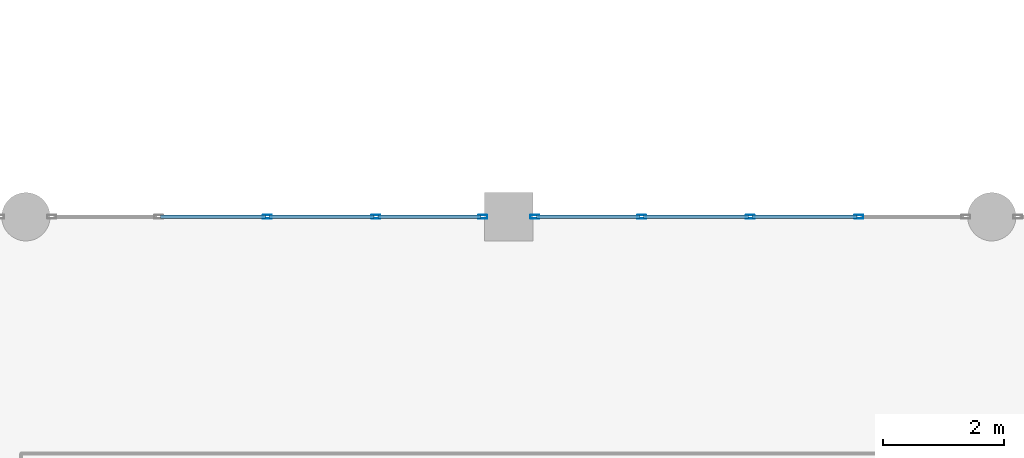
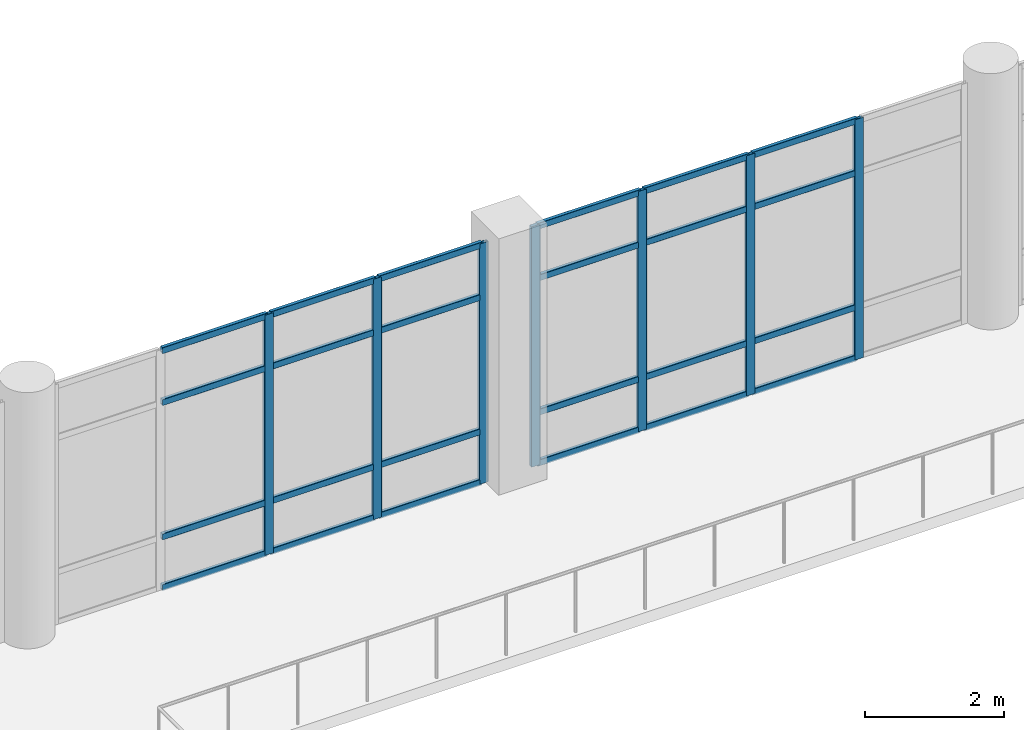
# One storey, part 24 of 42: 31 members, 2 elements without a shape of their own.
"""IFC4 building model written with IfcOpenShell, lengths in metres."""

from ifc_helpers import new_model, si_unit, direction, frame, origin, origin_2d, place, context, subcontext, project, spatial, hollow_rectangle, extrude, material, material_profile, profile_set, type_object, element, aggregate, save


model = new_model("IFC4")

# Units and contexts
model_context = context("Model", 3, precision=1e-05, world=origin(), true_north=direction((0.0, 1.0)))
body_context = subcontext(model_context, "Body", "Model", "MODEL_VIEW")
ifc_project = project(units=[si_unit("LENGTHUNIT", "METRE"), si_unit("AREAUNIT", "SQUARE_METRE"), si_unit("VOLUMEUNIT", "CUBIC_METRE"), si_unit("PLANEANGLEUNIT", "RADIAN"), si_unit("MASSUNIT", "GRAM", prefix="KILO")], contexts=[model_context])

# Site, building, storey
site_placement = place(None, origin())
site = spatial("IfcSite", under=ifc_project, at=site_placement, CompositionType="ELEMENT")
building_placement = place(site_placement, origin())
building = spatial("IfcBuilding", under=site, at=building_placement, Name="Solmirada Galleria", CompositionType="ELEMENT")
storey_placement = place(building_placement, frame((0.0, 0.0, 28.39990234375)))
storey = spatial("IfcBuildingStorey", under=building, at=storey_placement, Name="L06", CompositionType="ELEMENT", Elevation=28.39990234375)

# Curtain wall, members
ifc_material_1 = material(Name="Impact-resistant low-E double glazing", Category="glass")
curtain_wall_type = type_object("IfcCurtainWallType", Name="CW-FZ3-L06-B4-L072", PredefinedType="NOTDEFINED", material=ifc_material_1)
curtain_wall_1_placement = place(storey_placement, origin())
curtain_wall_1 = element("IfcCurtainWall", 1, at=curtain_wall_1_placement, inside=storey, type_object=curtain_wall_type, Name="Terrace and arcade storefront CW-L06-190", PredefinedType="NOTDEFINED")
ifc_material_2 = material(Name="Anodised aluminium framing", Category="aluminium")
ifc_material_profile_1 = material_profile(ifc_material_2, hollow_rectangle(XDim=0.06005859375, YDim=0.14990234375, WallThickness=0.00341796875, InnerFilletRadius=0.00341796875, OuterFilletRadius=0.007080078125, at=origin_2d()), Name="ALU-MULL-150X60")
ifc_profile_set_1 = profile_set([ifc_material_profile_1], Name="Anodised aluminium framing")
member_type_1 = type_object("IfcMemberType", Name="CW-MULL-150", PredefinedType="MULLION", material=ifc_profile_set_1)
member_1_placement = place(storey_placement, frame((92.0, 72.0, 0.0), z_axis=(0.0, 0.0, 1.0), x_axis=(0.0, 1.0, 0.0)))
member_1 = element("IfcMember", 2, at=member_1_placement, type_object=member_type_1, Name="CW38 mullion 3", PredefinedType="MULLION", context=body_context, shape_type="SweptSolid", body=[
    extrude(hollow_rectangle(XDim=0.06005859375, YDim=0.14990234375, WallThickness=0.00341796875, InnerFilletRadius=0.00341796875, OuterFilletRadius=0.007080078125, at=origin_2d()), origin(), (0.0, 0.0, 1.0), 4.22021484375),
])
member_2_placement = place(storey_placement, frame((93.799072265625, 72.0, 0.0), z_axis=(0.0, 0.0, 1.0), x_axis=(0.0, 1.0, 0.0)))
member_2 = element("IfcMember", 3, at=member_2_placement, type_object=member_type_1, Name="CW38 mullion 4", PredefinedType="MULLION", context=body_context, shape_type="SweptSolid", body=[
    extrude(hollow_rectangle(XDim=0.06005859375, YDim=0.14990234375, WallThickness=0.00341796875, InnerFilletRadius=0.00341796875, OuterFilletRadius=0.007080078125, at=origin_2d()), origin(), (0.0, 0.0, 1.0), 4.22021484375),
])
member_3_placement = place(storey_placement, frame((95.568115234375, 72.0, 0.0), z_axis=(0.0, 0.0, 1.0), x_axis=(0.0, 1.0, 0.0)))
member_3 = element("IfcMember", 4, at=member_3_placement, type_object=member_type_1, Name="CW38 mullion 5", PredefinedType="MULLION", context=body_context, shape_type="SweptSolid", body=[
    extrude(hollow_rectangle(XDim=0.06005859375, YDim=0.14990234375, WallThickness=0.00341796875, InnerFilletRadius=0.00341796875, OuterFilletRadius=0.007080078125, at=origin_2d()), origin(), (0.0, 0.0, 1.0), 4.22021484375),
])

curtain_wall_2_placement = place(storey_placement, origin())
curtain_wall_2 = element("IfcCurtainWall", 5, at=curtain_wall_2_placement, inside=storey, type_object=curtain_wall_type, Name="Terrace and arcade storefront CW-L06-191", PredefinedType="NOTDEFINED")
member_4_placement = place(storey_placement, frame((96.431884765625, 72.0, 0.0), z_axis=(0.0, 0.0, 1.0), x_axis=(0.0, 1.0, 0.0)))
member_4 = element("IfcMember", 6, at=member_4_placement, type_object=member_type_1, Name="CW38 mullion 1", PredefinedType="MULLION", context=body_context, shape_type="SweptSolid", body=[
    extrude(hollow_rectangle(XDim=0.06005859375, YDim=0.14990234375, WallThickness=0.00341796875, InnerFilletRadius=0.00341796875, OuterFilletRadius=0.007080078125, at=origin_2d()), origin(), (0.0, 0.0, 1.0), 4.22021484375),
])
member_5_placement = place(storey_placement, frame((98.200927734375, 72.0, 0.0), z_axis=(0.0, 0.0, 1.0), x_axis=(0.0, 1.0, 0.0)))
member_5 = element("IfcMember", 7, at=member_5_placement, type_object=member_type_1, Name="CW38 mullion 2", PredefinedType="MULLION", context=body_context, shape_type="SweptSolid", body=[
    extrude(hollow_rectangle(XDim=0.06005859375, YDim=0.14990234375, WallThickness=0.00341796875, InnerFilletRadius=0.00341796875, OuterFilletRadius=0.007080078125, at=origin_2d()), origin(), (0.0, 0.0, 1.0), 4.22021484375),
])
member_6_placement = place(storey_placement, frame((100.0, 72.0, 0.0), z_axis=(0.0, 0.0, 1.0), x_axis=(0.0, 1.0, 0.0)))
member_6 = element("IfcMember", 8, at=member_6_placement, type_object=member_type_1, Name="CW38 mullion 3", PredefinedType="MULLION", context=body_context, shape_type="SweptSolid", body=[
    extrude(hollow_rectangle(XDim=0.06005859375, YDim=0.14990234375, WallThickness=0.00341796875, InnerFilletRadius=0.00341796875, OuterFilletRadius=0.007080078125, at=origin_2d()), origin(), (0.0, 0.0, 1.0), 4.22021484375),
])
member_7_placement = place(storey_placement, frame((101.799072265625, 72.0, 0.0), z_axis=(0.0, 0.0, 1.0), x_axis=(0.0, 1.0, 0.0)))
member_7 = element("IfcMember", 9, at=member_7_placement, type_object=member_type_1, Name="CW38 mullion 4", PredefinedType="MULLION", context=body_context, shape_type="SweptSolid", body=[
    extrude(hollow_rectangle(XDim=0.06005859375, YDim=0.14990234375, WallThickness=0.00341796875, InnerFilletRadius=0.00341796875, OuterFilletRadius=0.007080078125, at=origin_2d()), origin(), (0.0, 0.0, 1.0), 4.22021484375),
])

# Member
ifc_material_profile_2 = material_profile(ifc_material_2, hollow_rectangle(XDim=0.06005859375, YDim=0.110107421875, WallThickness=0.003173828125, InnerFilletRadius=0.003173828125, OuterFilletRadius=0.00634765625, at=origin_2d()), Name="ALU-TRAN-110X60")
ifc_profile_set_2 = profile_set([ifc_material_profile_2], Name="Anodised aluminium framing")
member_type_2 = type_object("IfcMemberType", Name="CW-TRAN-110", PredefinedType="USERDEFINED", material=ifc_profile_set_2)
member_8_placement = place(storey_placement, frame((90.23095703125, 72.0, 0.030029296875), z_axis=(1.0, 0.0, 0.0), x_axis=(0.0, 1.0, 0.0)))
member_8 = element("IfcMember", 10, at=member_8_placement, type_object=member_type_2, Name="CW38 transom 2.1", ObjectType="TRANSOM", PredefinedType="USERDEFINED", context=body_context, shape_type="SweptSolid", body=[
    extrude(hollow_rectangle(XDim=0.06005859375, YDim=0.110107421875, WallThickness=0.003173828125, InnerFilletRadius=0.003173828125, OuterFilletRadius=0.00634765625, at=origin_2d()), origin(), (0.0, 0.0, 1.0), 1.739013671875),
])

member_9_placement = place(storey_placement, frame((90.23095703125, 72.0, 0.920166015625), z_axis=(1.0, 0.0, 0.0), x_axis=(0.0, 1.0, 0.0)))
member_9 = element("IfcMember", 11, at=member_9_placement, type_object=member_type_2, Name="CW38 transom 2.2", ObjectType="TRANSOM", PredefinedType="USERDEFINED", context=body_context, shape_type="SweptSolid", body=[
    extrude(hollow_rectangle(XDim=0.06005859375, YDim=0.110107421875, WallThickness=0.003173828125, InnerFilletRadius=0.003173828125, OuterFilletRadius=0.00634765625, at=origin_2d()), origin(), (0.0, 0.0, 1.0), 1.739013671875),
])

member_10_placement = place(storey_placement, frame((90.23095703125, 72.0, 3.280029296875), z_axis=(1.0, 0.0, 0.0), x_axis=(0.0, 1.0, 0.0)))
member_10 = element("IfcMember", 12, at=member_10_placement, type_object=member_type_2, Name="CW38 transom 2.3", ObjectType="TRANSOM", PredefinedType="USERDEFINED", context=body_context, shape_type="SweptSolid", body=[
    extrude(hollow_rectangle(XDim=0.06005859375, YDim=0.110107421875, WallThickness=0.003173828125, InnerFilletRadius=0.003173828125, OuterFilletRadius=0.00634765625, at=origin_2d()), origin(), (0.0, 0.0, 1.0), 1.739013671875),
])

member_11_placement = place(storey_placement, frame((90.23095703125, 72.0, 4.190185546875), z_axis=(1.0, 0.0, 0.0), x_axis=(0.0, 1.0, 0.0)))
member_11 = element("IfcMember", 13, at=member_11_placement, type_object=member_type_2, Name="CW38 transom 2.4", ObjectType="TRANSOM", PredefinedType="USERDEFINED", context=body_context, shape_type="SweptSolid", body=[
    extrude(hollow_rectangle(XDim=0.06005859375, YDim=0.110107421875, WallThickness=0.003173828125, InnerFilletRadius=0.003173828125, OuterFilletRadius=0.00634765625, at=origin_2d()), origin(), (0.0, 0.0, 1.0), 1.739013671875),
])

member_12_placement = place(storey_placement, frame((92.030029296875, 72.0, 0.030029296875), z_axis=(1.0, 0.0, 0.0), x_axis=(0.0, 1.0, 0.0)))
member_12 = element("IfcMember", 14, at=member_12_placement, type_object=member_type_2, Name="CW38 transom 3.1", ObjectType="TRANSOM", PredefinedType="USERDEFINED", context=body_context, shape_type="SweptSolid", body=[
    extrude(hollow_rectangle(XDim=0.06005859375, YDim=0.110107421875, WallThickness=0.003173828125, InnerFilletRadius=0.003173828125, OuterFilletRadius=0.00634765625, at=origin_2d()), origin(), (0.0, 0.0, 1.0), 1.739013671875),
])

member_13_placement = place(storey_placement, frame((92.030029296875, 72.0, 0.920166015625), z_axis=(1.0, 0.0, 0.0), x_axis=(0.0, 1.0, 0.0)))
member_13 = element("IfcMember", 15, at=member_13_placement, type_object=member_type_2, Name="CW38 transom 3.2", ObjectType="TRANSOM", PredefinedType="USERDEFINED", context=body_context, shape_type="SweptSolid", body=[
    extrude(hollow_rectangle(XDim=0.06005859375, YDim=0.110107421875, WallThickness=0.003173828125, InnerFilletRadius=0.003173828125, OuterFilletRadius=0.00634765625, at=origin_2d()), origin(), (0.0, 0.0, 1.0), 1.739013671875),
])

member_14_placement = place(storey_placement, frame((92.030029296875, 72.0, 3.280029296875), z_axis=(1.0, 0.0, 0.0), x_axis=(0.0, 1.0, 0.0)))
member_14 = element("IfcMember", 16, at=member_14_placement, type_object=member_type_2, Name="CW38 transom 3.3", ObjectType="TRANSOM", PredefinedType="USERDEFINED", context=body_context, shape_type="SweptSolid", body=[
    extrude(hollow_rectangle(XDim=0.06005859375, YDim=0.110107421875, WallThickness=0.003173828125, InnerFilletRadius=0.003173828125, OuterFilletRadius=0.00634765625, at=origin_2d()), origin(), (0.0, 0.0, 1.0), 1.739013671875),
])

member_15_placement = place(storey_placement, frame((92.030029296875, 72.0, 4.190185546875), z_axis=(1.0, 0.0, 0.0), x_axis=(0.0, 1.0, 0.0)))
member_15 = element("IfcMember", 17, at=member_15_placement, type_object=member_type_2, Name="CW38 transom 3.4", ObjectType="TRANSOM", PredefinedType="USERDEFINED", context=body_context, shape_type="SweptSolid", body=[
    extrude(hollow_rectangle(XDim=0.06005859375, YDim=0.110107421875, WallThickness=0.003173828125, InnerFilletRadius=0.003173828125, OuterFilletRadius=0.00634765625, at=origin_2d()), origin(), (0.0, 0.0, 1.0), 1.739013671875),
])

member_16_placement = place(storey_placement, frame((93.8291015625, 72.0, 0.030029296875), z_axis=(1.0, 0.0, 0.0), x_axis=(0.0, 1.0, 0.0)))
member_16 = element("IfcMember", 18, at=member_16_placement, type_object=member_type_2, Name="CW38 transom 4.1", ObjectType="TRANSOM", PredefinedType="USERDEFINED", context=body_context, shape_type="SweptSolid", body=[
    extrude(hollow_rectangle(XDim=0.06005859375, YDim=0.110107421875, WallThickness=0.003173828125, InnerFilletRadius=0.003173828125, OuterFilletRadius=0.00634765625, at=origin_2d()), origin(), (0.0, 0.0, 1.0), 1.708984375),
])

member_17_placement = place(storey_placement, frame((93.8291015625, 72.0, 0.920166015625), z_axis=(1.0, 0.0, 0.0), x_axis=(0.0, 1.0, 0.0)))
member_17 = element("IfcMember", 19, at=member_17_placement, type_object=member_type_2, Name="CW38 transom 4.2", ObjectType="TRANSOM", PredefinedType="USERDEFINED", context=body_context, shape_type="SweptSolid", body=[
    extrude(hollow_rectangle(XDim=0.06005859375, YDim=0.110107421875, WallThickness=0.003173828125, InnerFilletRadius=0.003173828125, OuterFilletRadius=0.00634765625, at=origin_2d()), origin(), (0.0, 0.0, 1.0), 1.708984375),
])

member_18_placement = place(storey_placement, frame((93.8291015625, 72.0, 3.280029296875), z_axis=(1.0, 0.0, 0.0), x_axis=(0.0, 1.0, 0.0)))
member_18 = element("IfcMember", 20, at=member_18_placement, type_object=member_type_2, Name="CW38 transom 4.3", ObjectType="TRANSOM", PredefinedType="USERDEFINED", context=body_context, shape_type="SweptSolid", body=[
    extrude(hollow_rectangle(XDim=0.06005859375, YDim=0.110107421875, WallThickness=0.003173828125, InnerFilletRadius=0.003173828125, OuterFilletRadius=0.00634765625, at=origin_2d()), origin(), (0.0, 0.0, 1.0), 1.708984375),
])

member_19_placement = place(storey_placement, frame((93.8291015625, 72.0, 4.190185546875), z_axis=(1.0, 0.0, 0.0), x_axis=(0.0, 1.0, 0.0)))
member_19 = element("IfcMember", 21, at=member_19_placement, type_object=member_type_2, Name="CW38 transom 4.4", ObjectType="TRANSOM", PredefinedType="USERDEFINED", context=body_context, shape_type="SweptSolid", body=[
    extrude(hollow_rectangle(XDim=0.06005859375, YDim=0.110107421875, WallThickness=0.003173828125, InnerFilletRadius=0.003173828125, OuterFilletRadius=0.00634765625, at=origin_2d()), origin(), (0.0, 0.0, 1.0), 1.708984375),
])

aggregate(curtain_wall_1, [member_1, member_2, member_3, member_8, member_9, member_10, member_11, member_12, member_13, member_14, member_15, member_16, member_17, member_18, member_19])

member_20_placement = place(storey_placement, frame((96.4619140625, 72.0, 0.030029296875), z_axis=(1.0, 0.0, 0.0), x_axis=(0.0, 1.0, 0.0)))
member_20 = element("IfcMember", 22, at=member_20_placement, type_object=member_type_2, Name="CW38 transom 1.1", ObjectType="TRANSOM", PredefinedType="USERDEFINED", context=body_context, shape_type="SweptSolid", body=[
    extrude(hollow_rectangle(XDim=0.06005859375, YDim=0.110107421875, WallThickness=0.003173828125, InnerFilletRadius=0.003173828125, OuterFilletRadius=0.00634765625, at=origin_2d()), origin(), (0.0, 0.0, 1.0), 1.708984375),
])

member_21_placement = place(storey_placement, frame((96.4619140625, 72.0, 0.920166015625), z_axis=(1.0, 0.0, 0.0), x_axis=(0.0, 1.0, 0.0)))
member_21 = element("IfcMember", 23, at=member_21_placement, type_object=member_type_2, Name="CW38 transom 1.2", ObjectType="TRANSOM", PredefinedType="USERDEFINED", context=body_context, shape_type="SweptSolid", body=[
    extrude(hollow_rectangle(XDim=0.06005859375, YDim=0.110107421875, WallThickness=0.003173828125, InnerFilletRadius=0.003173828125, OuterFilletRadius=0.00634765625, at=origin_2d()), origin(), (0.0, 0.0, 1.0), 1.708984375),
])

member_22_placement = place(storey_placement, frame((96.4619140625, 72.0, 3.280029296875), z_axis=(1.0, 0.0, 0.0), x_axis=(0.0, 1.0, 0.0)))
member_22 = element("IfcMember", 24, at=member_22_placement, type_object=member_type_2, Name="CW38 transom 1.3", ObjectType="TRANSOM", PredefinedType="USERDEFINED", context=body_context, shape_type="SweptSolid", body=[
    extrude(hollow_rectangle(XDim=0.06005859375, YDim=0.110107421875, WallThickness=0.003173828125, InnerFilletRadius=0.003173828125, OuterFilletRadius=0.00634765625, at=origin_2d()), origin(), (0.0, 0.0, 1.0), 1.708984375),
])

member_23_placement = place(storey_placement, frame((96.4619140625, 72.0, 4.190185546875), z_axis=(1.0, 0.0, 0.0), x_axis=(0.0, 1.0, 0.0)))
member_23 = element("IfcMember", 25, at=member_23_placement, type_object=member_type_2, Name="CW38 transom 1.4", ObjectType="TRANSOM", PredefinedType="USERDEFINED", context=body_context, shape_type="SweptSolid", body=[
    extrude(hollow_rectangle(XDim=0.06005859375, YDim=0.110107421875, WallThickness=0.003173828125, InnerFilletRadius=0.003173828125, OuterFilletRadius=0.00634765625, at=origin_2d()), origin(), (0.0, 0.0, 1.0), 1.708984375),
])

member_24_placement = place(storey_placement, frame((98.23095703125, 72.0, 0.030029296875), z_axis=(1.0, 0.0, 0.0), x_axis=(0.0, 1.0, 0.0)))
member_24 = element("IfcMember", 26, at=member_24_placement, type_object=member_type_2, Name="CW38 transom 2.1", ObjectType="TRANSOM", PredefinedType="USERDEFINED", context=body_context, shape_type="SweptSolid", body=[
    extrude(hollow_rectangle(XDim=0.06005859375, YDim=0.110107421875, WallThickness=0.003173828125, InnerFilletRadius=0.003173828125, OuterFilletRadius=0.00634765625, at=origin_2d()), origin(), (0.0, 0.0, 1.0), 1.739013671875),
])

member_25_placement = place(storey_placement, frame((98.23095703125, 72.0, 0.920166015625), z_axis=(1.0, 0.0, 0.0), x_axis=(0.0, 1.0, 0.0)))
member_25 = element("IfcMember", 27, at=member_25_placement, type_object=member_type_2, Name="CW38 transom 2.2", ObjectType="TRANSOM", PredefinedType="USERDEFINED", context=body_context, shape_type="SweptSolid", body=[
    extrude(hollow_rectangle(XDim=0.06005859375, YDim=0.110107421875, WallThickness=0.003173828125, InnerFilletRadius=0.003173828125, OuterFilletRadius=0.00634765625, at=origin_2d()), origin(), (0.0, 0.0, 1.0), 1.739013671875),
])

member_26_placement = place(storey_placement, frame((98.23095703125, 72.0, 3.280029296875), z_axis=(1.0, 0.0, 0.0), x_axis=(0.0, 1.0, 0.0)))
member_26 = element("IfcMember", 28, at=member_26_placement, type_object=member_type_2, Name="CW38 transom 2.3", ObjectType="TRANSOM", PredefinedType="USERDEFINED", context=body_context, shape_type="SweptSolid", body=[
    extrude(hollow_rectangle(XDim=0.06005859375, YDim=0.110107421875, WallThickness=0.003173828125, InnerFilletRadius=0.003173828125, OuterFilletRadius=0.00634765625, at=origin_2d()), origin(), (0.0, 0.0, 1.0), 1.739013671875),
])

member_27_placement = place(storey_placement, frame((98.23095703125, 72.0, 4.190185546875), z_axis=(1.0, 0.0, 0.0), x_axis=(0.0, 1.0, 0.0)))
member_27 = element("IfcMember", 29, at=member_27_placement, type_object=member_type_2, Name="CW38 transom 2.4", ObjectType="TRANSOM", PredefinedType="USERDEFINED", context=body_context, shape_type="SweptSolid", body=[
    extrude(hollow_rectangle(XDim=0.06005859375, YDim=0.110107421875, WallThickness=0.003173828125, InnerFilletRadius=0.003173828125, OuterFilletRadius=0.00634765625, at=origin_2d()), origin(), (0.0, 0.0, 1.0), 1.739013671875),
])

member_28_placement = place(storey_placement, frame((100.030029296875, 72.0, 0.030029296875), z_axis=(1.0, 0.0, 0.0), x_axis=(0.0, 1.0, 0.0)))
member_28 = element("IfcMember", 30, at=member_28_placement, type_object=member_type_2, Name="CW38 transom 3.1", ObjectType="TRANSOM", PredefinedType="USERDEFINED", context=body_context, shape_type="SweptSolid", body=[
    extrude(hollow_rectangle(XDim=0.06005859375, YDim=0.110107421875, WallThickness=0.003173828125, InnerFilletRadius=0.003173828125, OuterFilletRadius=0.00634765625, at=origin_2d()), origin(), (0.0, 0.0, 1.0), 1.739013671875),
])

member_29_placement = place(storey_placement, frame((100.030029296875, 72.0, 0.920166015625), z_axis=(1.0, 0.0, 0.0), x_axis=(0.0, 1.0, 0.0)))
member_29 = element("IfcMember", 31, at=member_29_placement, type_object=member_type_2, Name="CW38 transom 3.2", ObjectType="TRANSOM", PredefinedType="USERDEFINED", context=body_context, shape_type="SweptSolid", body=[
    extrude(hollow_rectangle(XDim=0.06005859375, YDim=0.110107421875, WallThickness=0.003173828125, InnerFilletRadius=0.003173828125, OuterFilletRadius=0.00634765625, at=origin_2d()), origin(), (0.0, 0.0, 1.0), 1.739013671875),
])

member_30_placement = place(storey_placement, frame((100.030029296875, 72.0, 3.280029296875), z_axis=(1.0, 0.0, 0.0), x_axis=(0.0, 1.0, 0.0)))
member_30 = element("IfcMember", 32, at=member_30_placement, type_object=member_type_2, Name="CW38 transom 3.3", ObjectType="TRANSOM", PredefinedType="USERDEFINED", context=body_context, shape_type="SweptSolid", body=[
    extrude(hollow_rectangle(XDim=0.06005859375, YDim=0.110107421875, WallThickness=0.003173828125, InnerFilletRadius=0.003173828125, OuterFilletRadius=0.00634765625, at=origin_2d()), origin(), (0.0, 0.0, 1.0), 1.739013671875),
])

member_31_placement = place(storey_placement, frame((100.030029296875, 72.0, 4.190185546875), z_axis=(1.0, 0.0, 0.0), x_axis=(0.0, 1.0, 0.0)))
member_31 = element("IfcMember", 33, at=member_31_placement, type_object=member_type_2, Name="CW38 transom 3.4", ObjectType="TRANSOM", PredefinedType="USERDEFINED", context=body_context, shape_type="SweptSolid", body=[
    extrude(hollow_rectangle(XDim=0.06005859375, YDim=0.110107421875, WallThickness=0.003173828125, InnerFilletRadius=0.003173828125, OuterFilletRadius=0.00634765625, at=origin_2d()), origin(), (0.0, 0.0, 1.0), 1.739013671875),
])

aggregate(curtain_wall_2, [member_4, member_5, member_6, member_7, member_20, member_21, member_22, member_23, member_24, member_25, member_26, member_27, member_28, member_29, member_30, member_31])

save(model, "model.ifc")
